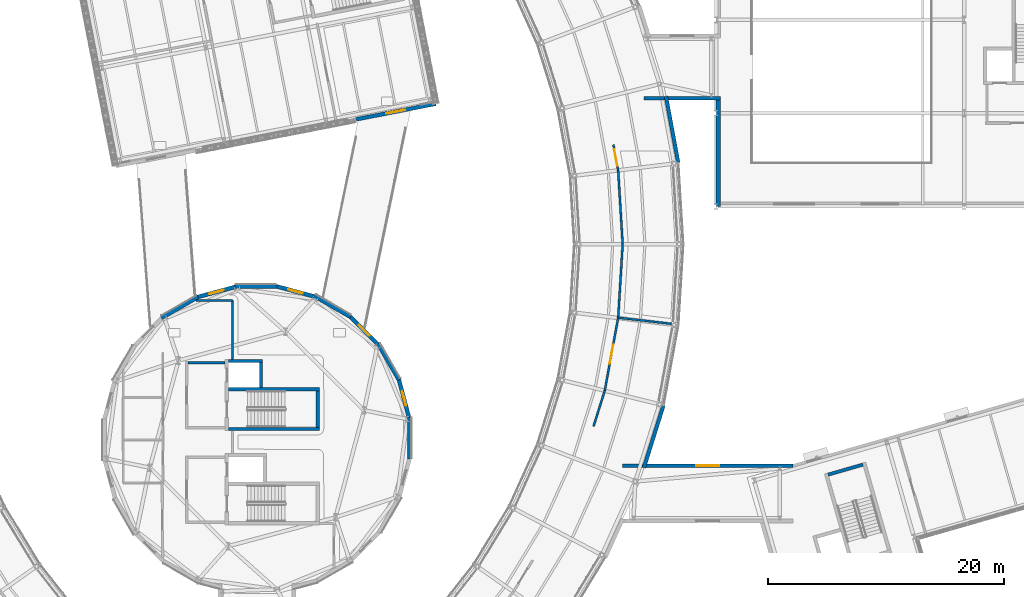
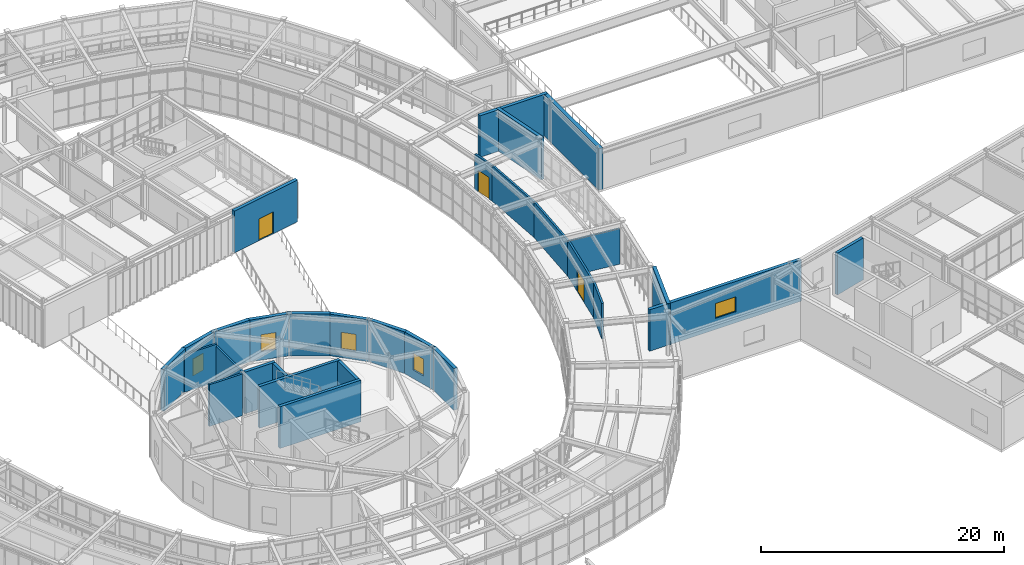
# One storey, part 78 of 103: 30 walls, 5 windows, 3 doors, 8 openings.
"""IFC4 building model written with IfcOpenShell, lengths in metres."""

from ifc_helpers import new_model, si_unit, direction, frame, frame_2d, origin, place, context, subcontext, project, spatial, rectangle, extrude, material, layer, layer_set, type_object, element, fill, save


model = new_model("IFC4")

# Units and contexts
model_context = context("Model", 3, precision=1e-05, world=origin(), true_north=direction((0.0, 1.0)))
body_context = subcontext(model_context, "Body", "Model", "MODEL_VIEW")
ifc_project = project(units=[si_unit("LENGTHUNIT", "METRE"), si_unit("AREAUNIT", "SQUARE_METRE"), si_unit("VOLUMEUNIT", "CUBIC_METRE"), si_unit("PLANEANGLEUNIT", "RADIAN"), si_unit("MASSUNIT", "GRAM", prefix="KILO")], contexts=[model_context])

# Site, building, storey
site_placement = place(None, origin())
site = spatial("IfcSite", under=ifc_project, at=site_placement, CompositionType="ELEMENT")
building_placement = place(site_placement, origin())
building = spatial("IfcBuilding", under=site, at=building_placement, Name="Varnklinge Art Gallery", CompositionType="ELEMENT")
storey_placement = place(building_placement, frame((0.0, 0.0, 5.10009765625)))
storey = spatial("IfcBuildingStorey", under=building, at=storey_placement, Name="L01", CompositionType="ELEMENT", Elevation=5.10009765625)

# Walls
ifc_material_1 = material(Name="Precast concrete C40/50", Category="concrete")
ifc_layer_1 = layer(ifc_material_1, 0.320068359375)
ifc_layer_set_1 = layer_set([ifc_layer_1], Name="Precast concrete C40/50")
wall_type_1 = type_object("IfcWallType", Name="EW-32", PredefinedType="SOLIDWALL", material=ifc_layer_set_1)
wall_1_placement = place(storey_placement, frame((109.93798828125, 41.349853515625, 0.0), z_axis=(0.0, 0.0, 1.0), x_axis=(-0.299711664702, -0.954029830792, 0.0)))
element("IfcWall", 1, at=wall_1_placement, inside=storey, type_object=wall_type_1, Name="EW-V2O-L01-K3-1", PredefinedType="SOLIDWALL", context=body_context, shape_type="SweptSolid", body=[
    extrude(rectangle(XDim=5.523681640625, YDim=0.320068359375, at=frame_2d((2.76171875, 0.0))), origin(), (0.0, 0.0, 1.0), 4.179931640625),
])
wall_2_placement = place(storey_placement, frame((110.14697265625, 67.52001953125, 0.0), z_axis=(0.0, 0.0, 1.0), x_axis=(0.181632279839, -0.983366521151, 0.0)))
element("IfcWall", 2, at=wall_2_placement, inside=storey, type_object=wall_type_1, Name="EW-V2O-L01-K7-1", PredefinedType="SOLIDWALL", context=body_context, shape_type="SweptSolid", body=[
    extrude(rectangle(XDim=5.739501953125, YDim=0.320068359375, at=frame_2d((2.86962890625, 0.0))), origin(), (0.0, 0.0, 1.0), 4.179931640625),
])

# Wall, opening, door
wall_3_placement = place(storey_placement, frame((90.6494140625, 66.887451171875, 0.0), z_axis=(0.0, 0.0, 1.0), x_axis=(-0.981626436546, -0.190812837813, 0.0)))
wall_3 = element("IfcWall", 3, at=wall_3_placement, inside=storey, type_object=wall_type_1, Name="EW-V4B-L01-BRG-4", PredefinedType="SOLIDWALL", context=body_context, shape_type="SweptSolid", body=[
    extrude(rectangle(XDim=6.900146484375, YDim=0.320068359375, at=frame_2d((3.4501953125, 0.0))), origin(), (0.0, 0.0, 1.0), 4.199951171875),
])
opening_1_placement = place(wall_3_placement, frame((2.64990234375, 0.0, 0.0)))
opening_1 = element("IfcOpeningElement", 4, at=opening_1_placement, cuts=wall_3, Name="Opening D-L01-E18", PredefinedType="OPENING", context=body_context, shape_type="SweptSolid", body=[
    extrude(rectangle(XDim=1.60009765625, YDim=2.199951171875, at=frame_2d((0.800048828125, 1.10009765625))), frame((0.0, 0.170166015625, 0.0), z_axis=(0.0, -1.0, 0.0), x_axis=(1.0, 0.0, 0.0)), (0.0, 0.0, 1.0), 0.340087890625),
])
ifc_material_2 = material(Name="Anodised Aluminium", Category="aluminium")
door_type_1 = type_object("IfcDoorType", Name="ED-03", OperationType="DOUBLE_DOOR_SINGLE_SWING", PredefinedType="DOOR", material=ifc_material_2)
door_1_placement = place(opening_1_placement, origin())
door_1 = element("IfcDoor", 5, at=door_1_placement, inside=storey, type_object=door_type_1, Name="L01 Lattice Box Court Bridge Door D-L01-E18", OperationType="DOUBLE_DOOR_SINGLE_SWING", OverallHeight=2.199951171875, OverallWidth=1.60009765625, PredefinedType="DOOR", context=body_context, shape_type="SweptSolid", body=[
    extrude(rectangle(XDim=1.60009765625, YDim=2.199951171875, at=frame_2d((0.800048828125, 1.10009765625))), frame((0.0, 0.02490234375, 0.0), z_axis=(0.0, -1.0, 0.0), x_axis=(1.0, 0.0, 0.0)), (0.0, 0.0, 1.0), 0.050048828125),
])
fill(opening_1, door_1)

# Wall
wall_4_placement = place(storey_placement, frame((114.75, 67.360107421875, 0.0), z_axis=(0.0, 0.0, 1.0), x_axis=(-1.0, 0.0, 0.0)))
element("IfcWall", 6, at=wall_4_placement, inside=storey, type_object=wall_type_1, Name="L01 Gallery Link Wall EW-LNK-V1-L01-S", PredefinedType="SOLIDWALL", context=body_context, shape_type="SweptSolid", body=[
    extrude(rectangle(XDim=6.465576171875, YDim=0.320068359375, at=frame_2d((3.23291015625, 0.0))), origin(), (0.0, 0.0, 1.0), 4.179931640625),
])

# Wall, opening, window
wall_5_placement = place(storey_placement, frame((106.47998046875, 36.239990234375, 0.0), z_axis=(0.0, 0.0, 1.0), x_axis=(1.0, 0.0, 0.0)))
wall_5 = element("IfcWall", 7, at=wall_5_placement, inside=storey, type_object=wall_type_1, Name="L01 Gallery Link Wall EW-LNK-V6-L01-N", PredefinedType="SOLIDWALL", context=body_context, shape_type="SweptSolid", body=[
    extrude(rectangle(XDim=14.43994140625, YDim=0.320068359375, at=frame_2d((7.219970703125, 0.0))), origin(), (0.0, 0.0, 1.0), 4.169921875),
])
opening_2_placement = place(wall_5_placement, frame((6.2451171875, 0.0, 1.1201171875)))
opening_2 = element("IfcOpeningElement", 8, at=opening_2_placement, cuts=wall_5, Name="Opening WN-05", PredefinedType="OPENING", context=body_context, shape_type="SweptSolid", body=[
    extrude(rectangle(XDim=1.949951171875, YDim=1.5, at=frame_2d((0.97509765625, 0.75))), frame((0.0, 0.170166015625, 0.0), z_axis=(0.0, -1.0, 0.0), x_axis=(1.0, 0.0, 0.0)), (0.0, 0.0, 1.0), 0.340087890625),
])
ifc_material_3 = material(Name="Insulated Low-E Triple Glazing", Category="glass")
window_type_1 = type_object("IfcWindowType", Name="WN-05", PartitioningType="SINGLE_PANEL", PredefinedType="WINDOW", material=ifc_material_3)
window_1_placement = place(opening_2_placement, origin())
window_1 = element("IfcWindow", 9, at=window_1_placement, inside=storey, type_object=window_type_1, Name="L01 Window WIN-L01-236", OverallHeight=1.5, OverallWidth=1.949951171875, PartitioningType="SINGLE_PANEL", PredefinedType="WINDOW", context=body_context, shape_type="SweptSolid", body=[
    extrude(rectangle(XDim=1.949951171875, YDim=1.5, at=frame_2d((0.97509765625, 0.75))), frame((0.0, 0.030029296875, 0.0), z_axis=(0.0, -1.0, 0.0), x_axis=(1.0, 0.0, 0.0)), (0.0, 0.0, 1.0), 0.06005859375),
])
fill(opening_2, window_1)

# Walls
ifc_material_4 = material(Name="Precast concrete C40/50", Category="concrete")
ifc_layer_2 = layer(ifc_material_4, 0.340087890625)
ifc_layer_set_2 = layer_set([ifc_layer_2], Name="Precast concrete C40/50")
wall_type_2 = type_object("IfcWallType", Name="EW-34", PredefinedType="SOLIDWALL", material=ifc_layer_set_2)
wall_6_placement = place(storey_placement, frame((88.4169921875, 40.37060546875, 0.0), z_axis=(0.0, 0.0, 1.0), x_axis=(0.0, -1.0, 0.0)))
element("IfcWall", 10, at=wall_6_placement, inside=storey, type_object=wall_type_2, Name="L01 Exterior Wall EW-V4D-L01-01", PredefinedType="SOLIDWALL", context=body_context, shape_type="SweptSolid", body=[
    extrude(rectangle(XDim=3.571044921875, YDim=0.340087890625, at=frame_2d((1.78564453125, 0.0))), origin(), (0.0, 0.0, 1.0), 4.199951171875),
])
wall_7_placement = place(storey_placement, frame((67.42138671875, 48.751220703125, 0.0), z_axis=(0.0, 0.0, 1.0), x_axis=(0.866021650523, 0.500006500783, 0.0)))
element("IfcWall", 11, at=wall_7_placement, inside=storey, type_object=wall_type_2, Name="L01 Exterior Wall EW-V4D-L01-16", PredefinedType="SOLIDWALL", context=body_context, shape_type="SweptSolid", body=[
    extrude(rectangle(XDim=3.5712890625, YDim=0.340087890625, at=frame_2d((1.78564453125, 0.0))), origin(), (0.0, 0.0, 1.0), 4.199951171875),
])

# Wall, opening, window
wall_8_placement = place(storey_placement, frame((70.35009765625, 50.492919921875, 0.0), z_axis=(0.0, 0.0, 1.0), x_axis=(0.965940423242, 0.258764562387, 0.0)))
wall_8 = element("IfcWall", 12, at=wall_8_placement, inside=storey, type_object=wall_type_2, Name="L01 Exterior Wall EW-V4D-L01-17", PredefinedType="SOLIDWALL", context=body_context, shape_type="SweptSolid", body=[
    extrude(rectangle(XDim=3.571044921875, YDim=0.340087890625, at=frame_2d((1.78564453125, 0.0))), origin(), (0.0, 0.0, 1.0), 4.199951171875),
])
opening_3_placement = place(wall_8_placement, frame((1.16064453125, 0.0, 0.85009765625)))
opening_3 = element("IfcOpeningElement", 13, at=opening_3_placement, cuts=wall_8, Name="Opening WN-09", PredefinedType="OPENING", context=body_context, shape_type="SweptSolid", body=[
    extrude(rectangle(XDim=1.25, YDim=1.699951171875, at=frame_2d((0.625, 0.85009765625))), frame((0.0, 0.179931640625, 0.0), z_axis=(0.0, -1.0, 0.0), x_axis=(1.0, 0.0, 0.0)), (0.0, 0.0, 1.0), 0.360107421875),
])
ifc_material_5 = material(Name="Insulated Low-E Triple Glazing", Category="glass")
window_type_2 = type_object("IfcWindowType", Name="WN-09", PartitioningType="SINGLE_PANEL", PredefinedType="WINDOW", material=ifc_material_5)
window_2_placement = place(opening_3_placement, origin())
window_2 = element("IfcWindow", 14, at=window_2_placement, inside=storey, type_object=window_type_2, Name="L01 Window WIN-L01-082", OverallHeight=1.699951171875, OverallWidth=1.25, PartitioningType="SINGLE_PANEL", PredefinedType="WINDOW", context=body_context, shape_type="SweptSolid", body=[
    extrude(rectangle(XDim=1.25, YDim=1.699951171875, at=frame_2d((0.625, 0.85009765625))), frame((0.0, 0.030029296875, 0.0), z_axis=(0.0, -1.0, 0.0), x_axis=(1.0, 0.0, 0.0)), (0.0, 0.0, 1.0), 0.06005859375),
])
fill(opening_3, window_2)

# Wall
wall_9_placement = place(storey_placement, frame((73.62939453125, 51.4169921875, 0.0), z_axis=(0.0, 0.0, 1.0), x_axis=(1.0, 0.0, 0.0)))
element("IfcWall", 15, at=wall_9_placement, inside=storey, type_object=wall_type_2, Name="L01 Exterior Wall EW-V4D-L01-18", PredefinedType="SOLIDWALL", context=body_context, shape_type="SweptSolid", body=[
    extrude(rectangle(XDim=3.571044921875, YDim=0.340087890625, at=frame_2d((1.78564453125, 0.0))), origin(), (0.0, 0.0, 1.0), 4.199951171875),
])

# Wall, opening, window
wall_10_placement = place(storey_placement, frame((77.036376953125, 51.461181640625, 0.0), z_axis=(0.0, 0.0, 1.0), x_axis=(0.965923333327, -0.258828348784, 0.0)))
wall_10 = element("IfcWall", 16, at=wall_10_placement, inside=storey, type_object=wall_type_2, Name="L01 Exterior Wall EW-V4D-L01-19", PredefinedType="SOLIDWALL", context=body_context, shape_type="SweptSolid", body=[
    extrude(rectangle(XDim=3.571044921875, YDim=0.340087890625, at=frame_2d((1.78564453125, 0.0))), origin(), (0.0, 0.0, 1.0), 4.199951171875),
])
opening_4_placement = place(wall_10_placement, frame((1.16064453125, 0.0, 0.85009765625)))
opening_4 = element("IfcOpeningElement", 17, at=opening_4_placement, cuts=wall_10, Name="Opening WN-09", PredefinedType="OPENING", context=body_context, shape_type="SweptSolid", body=[
    extrude(rectangle(XDim=1.25, YDim=1.699951171875, at=frame_2d((0.625, 0.85009765625))), frame((0.0, 0.179931640625, 0.0), z_axis=(0.0, -1.0, 0.0), x_axis=(1.0, 0.0, 0.0)), (0.0, 0.0, 1.0), 0.360107421875),
])
window_3_placement = place(opening_4_placement, origin())
window_3 = element("IfcWindow", 18, at=window_3_placement, inside=storey, type_object=window_type_2, Name="L01 Window WIN-L01-083", OverallHeight=1.699951171875, OverallWidth=1.25, PartitioningType="SINGLE_PANEL", PredefinedType="WINDOW", context=body_context, shape_type="SweptSolid", body=[
    extrude(rectangle(XDim=1.25, YDim=1.699951171875, at=frame_2d((0.625, 0.85009765625))), frame((0.0, 0.030029296875, 0.0), z_axis=(0.0, -1.0, 0.0), x_axis=(1.0, 0.0, 0.0)), (0.0, 0.0, 1.0), 0.06005859375),
])
fill(opening_4, window_3)

# Wall
wall_11_placement = place(storey_placement, frame((80.338623046875, 50.621826171875, 0.0), z_axis=(0.0, 0.0, 1.0), x_axis=(0.866021650523, -0.500006500783, 0.0)))
element("IfcWall", 19, at=wall_11_placement, inside=storey, type_object=wall_type_2, Name="L01 Exterior Wall EW-V4D-L01-20", PredefinedType="SOLIDWALL", context=body_context, shape_type="SweptSolid", body=[
    extrude(rectangle(XDim=3.5712890625, YDim=0.340087890625, at=frame_2d((1.78564453125, 0.0))), origin(), (0.0, 0.0, 1.0), 4.199951171875),
])

# Wall, opening, window
wall_12_placement = place(storey_placement, frame((83.31103515625, 48.95654296875, 0.0), z_axis=(0.0, 0.0, 1.0), x_axis=(0.707106781187, -0.707106781187, 0.0)))
wall_12 = element("IfcWall", 20, at=wall_12_placement, inside=storey, type_object=wall_type_2, Name="L01 Exterior Wall EW-V4D-L01-21", PredefinedType="SOLIDWALL", context=body_context, shape_type="SweptSolid", body=[
    extrude(rectangle(XDim=3.571044921875, YDim=0.340087890625, at=frame_2d((1.78564453125, 0.0))), origin(), (0.0, 0.0, 1.0), 4.199951171875),
])
opening_5_placement = place(wall_12_placement, frame((1.16064453125, 0.0, 0.85009765625)))
opening_5 = element("IfcOpeningElement", 21, at=opening_5_placement, cuts=wall_12, Name="Opening WN-09", PredefinedType="OPENING", context=body_context, shape_type="SweptSolid", body=[
    extrude(rectangle(XDim=1.25, YDim=1.699951171875, at=frame_2d((0.625, 0.85009765625))), frame((0.0, 0.179931640625, 0.0), z_axis=(0.0, -1.0, 0.0), x_axis=(1.0, 0.0, 0.0)), (0.0, 0.0, 1.0), 0.360107421875),
])
window_4_placement = place(opening_5_placement, origin())
window_4 = element("IfcWindow", 22, at=window_4_placement, inside=storey, type_object=window_type_2, Name="L01 Window WIN-L01-084", OverallHeight=1.699951171875, OverallWidth=1.25, PartitioningType="SINGLE_PANEL", PredefinedType="WINDOW", context=body_context, shape_type="SweptSolid", body=[
    extrude(rectangle(XDim=1.25, YDim=1.699951171875, at=frame_2d((0.625, 0.85009765625))), frame((0.0, 0.030029296875, 0.0), z_axis=(0.0, -1.0, 0.0), x_axis=(1.0, 0.0, 0.0)), (0.0, 0.0, 1.0), 0.06005859375),
])
fill(opening_5, window_4)

# Wall
wall_13_placement = place(storey_placement, frame((85.751220703125, 46.57861328125, 0.0), z_axis=(0.0, 0.0, 1.0), x_axis=(0.500006500783, -0.866021650523, 0.0)))
element("IfcWall", 23, at=wall_13_placement, inside=storey, type_object=wall_type_2, Name="L01 Exterior Wall EW-V4D-L01-22", PredefinedType="SOLIDWALL", context=body_context, shape_type="SweptSolid", body=[
    extrude(rectangle(XDim=3.5712890625, YDim=0.340087890625, at=frame_2d((1.78564453125, 0.0))), origin(), (0.0, 0.0, 1.0), 4.199951171875),
])

# Wall, opening, window
wall_14_placement = place(storey_placement, frame((87.492919921875, 43.64990234375, 0.0), z_axis=(0.0, 0.0, 1.0), x_axis=(0.258764562387, -0.965940423242, 0.0)))
wall_14 = element("IfcWall", 24, at=wall_14_placement, inside=storey, type_object=wall_type_2, Name="L01 Exterior Wall EW-V4D-L01-23", PredefinedType="SOLIDWALL", context=body_context, shape_type="SweptSolid", body=[
    extrude(rectangle(XDim=3.571044921875, YDim=0.340087890625, at=frame_2d((1.78564453125, 0.0))), origin(), (0.0, 0.0, 1.0), 4.199951171875),
])
opening_6_placement = place(wall_14_placement, frame((1.16064453125, 0.0, 0.85009765625)))
opening_6 = element("IfcOpeningElement", 25, at=opening_6_placement, cuts=wall_14, Name="Opening WN-09", PredefinedType="OPENING", context=body_context, shape_type="SweptSolid", body=[
    extrude(rectangle(XDim=1.25, YDim=1.699951171875, at=frame_2d((0.625, 0.85009765625))), frame((0.0, 0.179931640625, 0.0), z_axis=(0.0, -1.0, 0.0), x_axis=(1.0, 0.0, 0.0)), (0.0, 0.0, 1.0), 0.360107421875),
])
window_5_placement = place(opening_6_placement, origin())
window_5 = element("IfcWindow", 26, at=window_5_placement, inside=storey, type_object=window_type_2, Name="L01 Window WIN-L01-085", OverallHeight=1.699951171875, OverallWidth=1.25, PartitioningType="SINGLE_PANEL", PredefinedType="WINDOW", context=body_context, shape_type="SweptSolid", body=[
    extrude(rectangle(XDim=1.25, YDim=1.699951171875, at=frame_2d((0.625, 0.85009765625))), frame((0.0, 0.030029296875, 0.0), z_axis=(0.0, -1.0, 0.0), x_axis=(1.0, 0.0, 0.0)), (0.0, 0.0, 1.0), 0.06005859375),
])
fill(opening_6, window_5)

# Wall
ifc_material_6 = material(Name="Concrete C40/50", Category="concrete")
ifc_layer_3 = layer(ifc_material_6, 0.3798828125)
ifc_layer_set_3 = layer_set([ifc_layer_3], Name="Concrete C40/50")
wall_type_3 = type_object("IfcWallType", Name="EW-38", PredefinedType="SOLIDWALL", material=ifc_layer_set_3)
wall_15_placement = place(storey_placement, frame((114.590087890625, 58.199951171875, 0.0), z_axis=(0.0, 0.0, 1.0), x_axis=(0.0, 1.0, 0.0)))
element("IfcWall", 27, at=wall_15_placement, inside=storey, type_object=wall_type_3, Name="L01 Exterior Wall EW-V1-L01-01", PredefinedType="SOLIDWALL", context=body_context, shape_type="SweptSolid", body=[
    extrude(rectangle(XDim=9.320068359375, YDim=0.3798828125, at=frame_2d((4.66015625, 0.0))), origin(), (0.0, 0.0, 1.0), 4.169921875),
])

# Wall, opening, door
ifc_material_7 = material(Name="Gypsum Board Partition", Category="gypsum")
ifc_layer_4 = layer(ifc_material_7, 0.179931640625)
ifc_layer_set_4 = layer_set([ifc_layer_4], Name="Gypsum Board Partition")
wall_type_4 = type_object("IfcWallType", Name="IW-18", PredefinedType="PARTITIONING", material=ifc_layer_set_4)
wall_16_placement = place(storey_placement, frame((106.097900390625, 48.77734375, 0.0), z_axis=(0.0, 0.0, 1.0), x_axis=(-0.181080462483, -0.983468284241, 0.0)))
wall_16 = element("IfcWall", 28, at=wall_16_placement, inside=storey, type_object=wall_type_4, Name="L01 Partition Wall IW-L01-0172", PredefinedType="PARTITIONING", context=body_context, shape_type="SweptSolid", body=[
    extrude(rectangle(XDim=6.292236328125, YDim=0.179931640625, at=frame_2d((3.14599609375, 0.0))), origin(), (0.0, 0.0, 1.0), 3.56982421875),
])
opening_7_placement = place(wall_16_placement, frame((2.326171875, 0.0, 0.0)))
opening_7 = element("IfcOpeningElement", 29, at=opening_7_placement, cuts=wall_16, Name="Opening D-L01-184", PredefinedType="OPENING", context=body_context, shape_type="SweptSolid", body=[
    extrude(rectangle(XDim=1.639892578125, YDim=2.199951171875, at=frame_2d((0.81982421875, 1.10009765625))), frame((0.0, 0.099853515625, 0.0), z_axis=(0.0, -1.0, 0.0), x_axis=(1.0, 0.0, 0.0)), (0.0, 0.0, 1.0), 0.199951171875),
])
ifc_material_8 = material(Name="Oak Timber Leaf", Category="wood")
door_type_2 = type_object("IfcDoorType", Name="ID-08", OperationType="DOUBLE_DOOR_SINGLE_SWING", PredefinedType="DOOR", material=ifc_material_8)
door_2_placement = place(opening_7_placement, origin())
door_2 = element("IfcDoor", 30, at=door_2_placement, inside=storey, type_object=door_type_2, Name="L01 L01 Upper East Curved Exhibition Gallery 2 Door D-L01-184", OperationType="DOUBLE_DOOR_SINGLE_SWING", OverallHeight=2.199951171875, OverallWidth=1.639892578125, PredefinedType="DOOR", context=body_context, shape_type="SweptSolid", body=[
    extrude(rectangle(XDim=1.639892578125, YDim=2.199951171875, at=frame_2d((0.81982421875, 1.10009765625))), frame((0.0, 0.02490234375, 0.0), z_axis=(0.0, -1.0, 0.0), x_axis=(1.0, 0.0, 0.0)), (0.0, 0.0, 1.0), 0.050048828125),
])
fill(opening_7, door_2)

# Wall
wall_17_placement = place(storey_placement, frame((104.95849609375, 42.589111328125, 0.0), z_axis=(0.0, 0.0, 1.0), x_axis=(-0.299724283607, -0.954025866429, 0.0)))
element("IfcWall", 31, at=wall_17_placement, inside=storey, type_object=wall_type_4, Name="L01 Partition Wall IW-L01-0173", PredefinedType="PARTITIONING", context=body_context, shape_type="SweptSolid", body=[
    extrude(rectangle(XDim=3.16455078125, YDim=0.179931640625, at=frame_2d((1.582275390625, 0.0))), origin(), (0.0, 0.0, 1.0), 3.56982421875),
])

# Wall, opening, door
wall_18_placement = place(storey_placement, frame((105.693603515625, 63.429931640625, 0.0), z_axis=(0.0, 0.0, 1.0), x_axis=(0.181560591945, -0.98337975953, 0.0)))
wall_18 = element("IfcWall", 32, at=wall_18_placement, inside=storey, type_object=wall_type_4, Name="L01 Partition Wall IW-L01-0174", PredefinedType="PARTITIONING", context=body_context, shape_type="SweptSolid", body=[
    extrude(rectangle(XDim=2.216064453125, YDim=0.179931640625, at=frame_2d((1.10791015625, 0.0))), origin(), (0.0, 0.0, 1.0), 3.56982421875),
])
opening_8_placement = place(wall_18_placement, frame((0.39794921875, 0.0, 0.0)))
opening_8 = element("IfcOpeningElement", 33, at=opening_8_placement, cuts=wall_18, Name="Opening D-L01-185", PredefinedType="OPENING", context=body_context, shape_type="SweptSolid", body=[
    extrude(rectangle(XDim=1.419921875, YDim=2.179931640625, at=frame_2d((0.7099609375, 1.08984375))), frame((0.0, 0.099853515625, 0.0), z_axis=(0.0, -1.0, 0.0), x_axis=(1.0, 0.0, 0.0)), (0.0, 0.0, 1.0), 0.199951171875),
])
ifc_material_9 = material(Name="Oak Timber Leaf", Category="wood")
door_type_3 = type_object("IfcDoorType", Name="ID-07", OperationType="DOUBLE_DOOR_SINGLE_SWING", PredefinedType="DOOR", material=ifc_material_9)
door_3_placement = place(opening_8_placement, origin())
door_3 = element("IfcDoor", 34, at=door_3_placement, inside=storey, type_object=door_type_3, Name="L01 L01 Upper Northeast Design Gallery Door D-L01-185", OperationType="DOUBLE_DOOR_SINGLE_SWING", OverallHeight=2.179931640625, OverallWidth=1.419921875, PredefinedType="DOOR", context=body_context, shape_type="SweptSolid", body=[
    extrude(rectangle(XDim=1.419921875, YDim=2.179931640625, at=frame_2d((0.7099609375, 1.08984375))), frame((0.0, 0.02490234375, 0.0), z_axis=(0.0, -1.0, 0.0), x_axis=(1.0, 0.0, 0.0)), (0.0, 0.0, 1.0), 0.050048828125),
])
fill(opening_8, door_3)

# Walls
wall_19_placement = place(storey_placement, frame((106.095947265625, 61.250732421875, 0.0), z_axis=(0.0, 0.0, 1.0), x_axis=(0.060834142285, -0.998147888408, 0.0)))
element("IfcWall", 35, at=wall_19_placement, inside=storey, type_object=wall_type_4, Name="L01 Partition Wall IW-L01-0175", PredefinedType="PARTITIONING", context=body_context, shape_type="SweptSolid", body=[
    extrude(rectangle(XDim=6.260498046875, YDim=0.179931640625, at=frame_2d((3.13037109375, 0.0))), origin(), (0.0, 0.0, 1.0), 3.56982421875),
])
wall_20_placement = place(storey_placement, frame((106.476806640625, 55.001708984375, 0.0), z_axis=(0.0, 0.0, 1.0), x_axis=(-0.060762201359, -0.998152270391, 0.0)))
element("IfcWall", 36, at=wall_20_placement, inside=storey, type_object=wall_type_4, Name="L01 Partition Wall IW-L01-0176", PredefinedType="PARTITIONING", context=body_context, shape_type="SweptSolid", body=[
    extrude(rectangle(XDim=6.23583984375, YDim=0.179931640625, at=frame_2d((3.117919921875, 0.0))), origin(), (0.0, 0.0, 1.0), 3.56982421875),
])
wall_21_placement = place(storey_placement, frame((70.330810546875, 50.22998046875, 0.0), z_axis=(0.0, 0.0, 1.0), x_axis=(0.999990921946, -0.004260988699, 0.0)))
element("IfcWall", 37, at=wall_21_placement, inside=storey, type_object=wall_type_4, Name="L01 Partition Wall IW-L01-0212", PredefinedType="PARTITIONING", context=body_context, shape_type="SweptSolid", body=[
    extrude(rectangle(XDim=3.093994140625, YDim=0.179931640625, at=frame_2d((1.546875, 0.0))), origin(), (0.0, 0.0, 1.0), 3.789794921875),
])
wall_22_placement = place(storey_placement, frame((73.4248046875, 50.216796875, 0.0), z_axis=(0.0, 0.0, 1.0), x_axis=(0.0010330573, -0.999999466396, 0.0)))
element("IfcWall", 38, at=wall_22_placement, inside=storey, type_object=wall_type_4, Name="L01 Partition Wall IW-L01-0213", PredefinedType="PARTITIONING", context=body_context, shape_type="SweptSolid", body=[
    extrude(rectangle(XDim=4.962890625, YDim=0.179931640625, at=frame_2d((2.4814453125, 0.0))), origin(), (0.0, 0.0, 1.0), 3.58984375),
])
wall_23_placement = place(storey_placement, frame((106.099365234375, 48.777099609375, 0.0), z_axis=(0.0, 0.0, 1.0), x_axis=(0.993352407823, -0.11511296136, 0.0)))
element("IfcWall", 39, at=wall_23_placement, inside=storey, type_object=wall_type_4, Name="L01 Partition Wall IW-L01-0241", PredefinedType="PARTITIONING", context=body_context, shape_type="SweptSolid", body=[
    extrude(rectangle(XDim=4.54931640625, YDim=0.179931640625, at=frame_2d((2.274658203125, 0.0))), origin(), (0.0, 0.0, 1.0), 3.56982421875),
])
ifc_material_10 = material(Name="Concrete C40/50", Category="concrete")
ifc_layer_5 = layer(ifc_material_10, 0.199951171875)
ifc_layer_set_5 = layer_set([ifc_layer_5], Name="Concrete C40/50")
wall_type_5 = type_object("IfcWallType", Name="IW-20", PredefinedType="PARTITIONING", material=ifc_layer_set_5)
wall_24_placement = place(storey_placement, frame((72.800048828125, 44.9599609375, 0.0), z_axis=(0.0, 0.0, 1.0), x_axis=(-1.0, 0.0, 0.0)))
element("IfcWall", 40, at=wall_24_placement, inside=storey, type_object=wall_type_5, Name="L01 Core C2 Lobby North Wall", PredefinedType="PARTITIONING", context=body_context, shape_type="SweptSolid", body=[
    extrude(rectangle(XDim=3.150146484375, YDim=0.199951171875, at=frame_2d((1.5751953125, 0.0))), origin(), (0.0, 0.0, 1.0), 4.199951171875),
])
ifc_material_11 = material(Name="Concrete C40/50", Category="concrete")
ifc_layer_6 = layer(ifc_material_11, 0.280029296875)
ifc_layer_set_6 = layer_set([ifc_layer_6], Name="Concrete C40/50")
wall_type_6 = type_object("IfcWallType", Name="SW-28", PredefinedType="SHEAR", material=ifc_layer_set_6)
wall_25_placement = place(storey_placement, frame((73.090087890625, 39.35009765625, 0.0), z_axis=(0.0, 0.0, 1.0), x_axis=(1.0, 0.0, 0.0)))
element("IfcWall", 41, at=wall_25_placement, inside=storey, type_object=wall_type_6, Name="L01 Core C2 South Shear Wall", PredefinedType="SHEAR", context=body_context, shape_type="SweptSolid", body=[
    extrude(rectangle(XDim=7.699951171875, YDim=0.280029296875, at=frame_2d((3.85009765625, 0.0))), origin(), (0.0, 0.0, 1.0), 4.199951171875),
])
wall_26_placement = place(storey_placement, frame((80.64990234375, 39.489990234375, 0.0), z_axis=(0.0, 0.0, 1.0), x_axis=(0.0, 1.0, 0.0)))
element("IfcWall", 42, at=wall_26_placement, inside=storey, type_object=wall_type_6, Name="L01 Core C2 East Shear Wall", PredefinedType="SHEAR", context=body_context, shape_type="SweptSolid", body=[
    extrude(rectangle(XDim=3.080078125, YDim=0.280029296875, at=frame_2d((1.5400390625, 0.0))), origin(), (0.0, 0.0, 1.0), 4.199951171875),
])
wall_27_placement = place(storey_placement, frame((80.7900390625, 42.7099609375, 0.0), z_axis=(0.0, 0.0, 1.0), x_axis=(-1.0, 0.0, 0.0)))
element("IfcWall", 43, at=wall_27_placement, inside=storey, type_object=wall_type_6, Name="L01 Core C2 Dividing Shear Wall", PredefinedType="SHEAR", context=body_context, shape_type="SweptSolid", body=[
    extrude(rectangle(XDim=7.699951171875, YDim=0.280029296875, at=frame_2d((3.85009765625, 0.0))), origin(), (0.0, 0.0, 1.0), 4.199951171875),
])
wall_28_placement = place(storey_placement, frame((75.85009765625, 42.85009765625, 0.0), z_axis=(0.0, 0.0, 1.0), x_axis=(0.0, 1.0, 0.0)))
element("IfcWall", 44, at=wall_28_placement, inside=storey, type_object=wall_type_6, Name="L01 Core C2 Lift East Shear Wall", PredefinedType="SHEAR", context=body_context, shape_type="SweptSolid", body=[
    extrude(rectangle(XDim=2.119873046875, YDim=0.280029296875, at=frame_2d((1.06005859375, 0.0))), origin(), (0.0, 0.0, 1.0), 4.199951171875),
])
wall_29_placement = place(storey_placement, frame((75.989990234375, 45.110107421875, 0.0), z_axis=(0.0, 0.0, 1.0), x_axis=(-1.0, 0.0, 0.0)))
element("IfcWall", 45, at=wall_29_placement, inside=storey, type_object=wall_type_6, Name="L01 Core C2 Lift North Shear Wall", PredefinedType="SHEAR", context=body_context, shape_type="SweptSolid", body=[
    extrude(rectangle(XDim=2.89990234375, YDim=0.280029296875, at=frame_2d((1.449951171875, 0.0))), origin(), (0.0, 0.0, 1.0), 4.199951171875),
])
wall_30_placement = place(storey_placement, frame((126.832275390625, 36.33056640625, 0.0), z_axis=(0.0, 0.0, 1.0), x_axis=(-0.961269283639, -0.275610892984, 0.0)))
element("IfcWall", 46, at=wall_30_placement, inside=storey, type_object=wall_type_6, Name="L01 Core C5 East Shear Wall", PredefinedType="SHEAR", context=body_context, shape_type="SweptSolid", body=[
    extrude(rectangle(XDim=3.080078125, YDim=0.280029296875, at=frame_2d((1.5400390625, 0.0))), origin(), (0.0, 0.0, 1.0), 4.199951171875),
])

save(model, "model.ifc")
